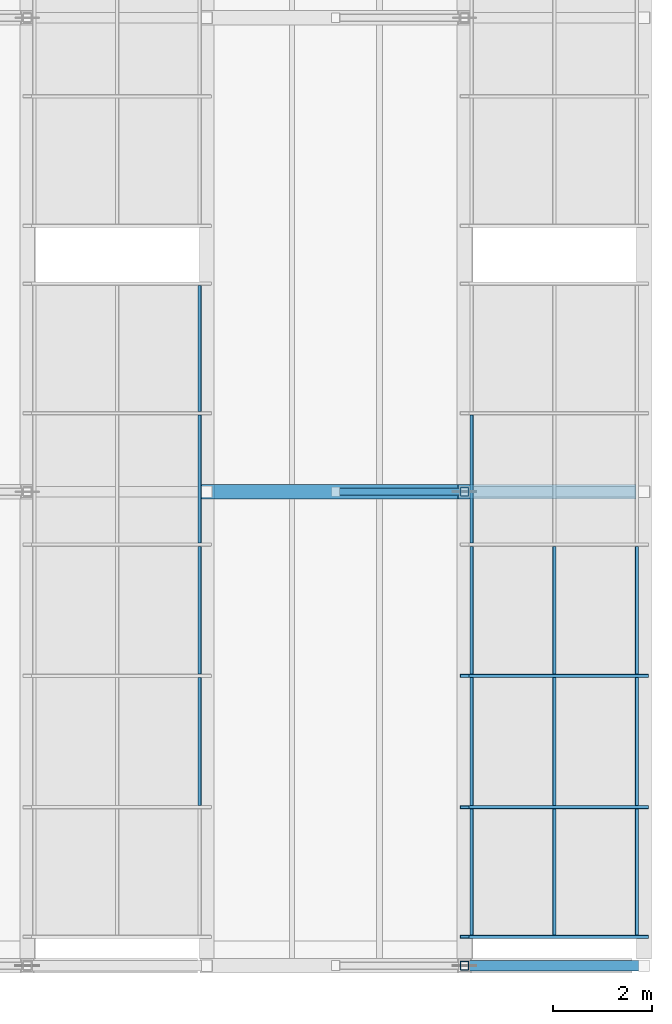
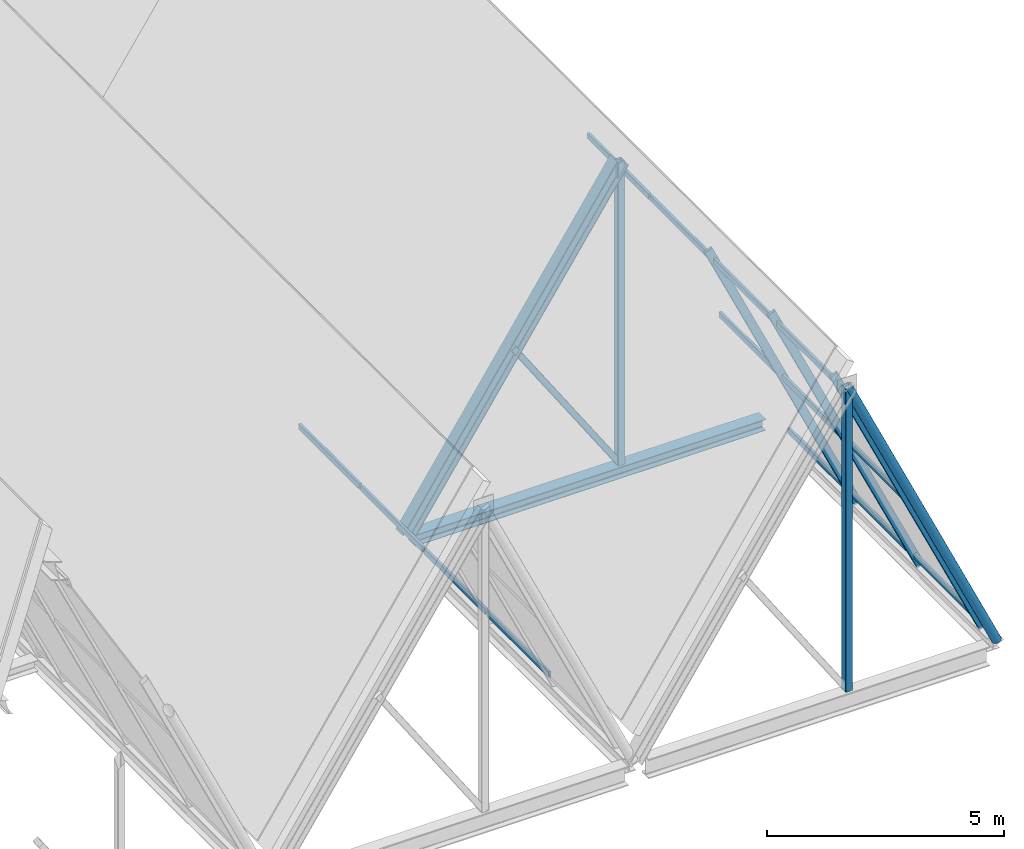
# One storey, part 54 of 99: 23 members, 2 elements without a shape of their own.
"""IFC4 building model written with IfcOpenShell, lengths in metres."""

import ifcopenshell
import ifcopenshell.guid

model = None  # the IFC model being written
_history = None  # IfcOwnerHistory: only IFC2X3 demands one
_inside = {}  # id of a spatial element -> (the spatial element, [elements in it])
_under = {}  # id of a project, library or spatial element -> (it, [spatial elements below it])
_declared = {}  # id of a project -> (the project, [libraries it declares])
_typed = {}  # id of a type object -> (the type object, [elements of that type])
_made_of = {}  # id of a material, layer set ... -> (it, [elements and type objects made of it])


def new_model(schema):
    """Start an empty IFC model of exactly this schema.

    Asked for "IFC4X3", IfcOpenShell would pick the latest addendum, in which some entities
    have other attributes; the version numbers below select the first issue.
    IFC2X3 requires an IfcOwnerHistory on every rooted entity: one is made here for all.
    """
    global model, _history
    if schema == "IFC4X3":
        model = ifcopenshell.file(schema_version=(4, 3, 0, 0))
    else:
        model = ifcopenshell.file(schema=schema)
    _inside.clear()
    _under.clear()
    _declared.clear()
    _typed.clear()
    _made_of.clear()
    _history = None
    if model.schema == "IFC2X3":
        org = make("IfcOrganization", Name="unknown")
        user = make(
            "IfcPersonAndOrganization",
            ThePerson=make("IfcPerson", FamilyName="unknown"),
            TheOrganization=org,
        )
        app = make(
            "IfcApplication",
            ApplicationDeveloper=org,
            Version="unknown",
            ApplicationFullName="unknown",
            ApplicationIdentifier="unknown",
        )
        _history = make(
            "IfcOwnerHistory",
            OwningUser=user,
            OwningApplication=app,
            ChangeAction="ADDED",
            CreationDate=0,
        )
    return model


def make(cls, **values):
    """One entity of the class cls with the attributes given. An attribute that is None is left unset."""
    return model.create_entity(
        cls, **{name: value for name, value in values.items() if value is not None}
    )


def rooted(cls, **values):
    """An entity with a GlobalId (a new one), such as an element, a storey or a relation."""
    return make(cls, GlobalId=ifcopenshell.guid.new(), OwnerHistory=_history, **values)


def si_unit(unit_type, name, prefix=None):
    """IfcSIUnit, for example si_unit("LENGTHUNIT", "METRE", prefix="MILLI")."""
    return make("IfcSIUnit", UnitType=unit_type, Prefix=prefix, Name=name)


def assignment(units):
    """IfcUnitAssignment: the units of a project."""
    return None if units is None else make("IfcUnitAssignment", Units=units)


def point(xyz):
    """IfcCartesianPoint."""
    return None if xyz is None else make("IfcCartesianPoint", Coordinates=xyz)


def direction(xyz):
    """IfcDirection."""
    return None if xyz is None else make("IfcDirection", DirectionRatios=xyz)


def frame(location, z_axis=None, x_axis=None):
    """IfcAxis2Placement3D, a coordinate frame: its origin and axes. An axis left out is left unset."""
    return make(
        "IfcAxis2Placement3D",
        Location=point(location),
        Axis=direction(z_axis),
        RefDirection=direction(x_axis),
    )


def frame_2d(location, x_axis=None):
    """IfcAxis2Placement2D, a coordinate frame in the plane: its origin and x axis."""
    return make(
        "IfcAxis2Placement2D", Location=point(location), RefDirection=direction(x_axis)
    )


def origin():
    """The frame at (0, 0, 0) with its axes left unset."""
    return frame((0.0, 0.0, 0.0))


def origin_2d():
    """The frame at (0, 0) in the plane with its x axis left unset."""
    return frame_2d((0.0, 0.0))


def place(relative_to, where):
    """IfcLocalPlacement: puts the frame where relative to a parent placement (None: the world)."""
    return make(
        "IfcLocalPlacement", PlacementRelTo=relative_to, RelativePlacement=where
    )


def context(
    kind, dimensions, precision=None, world=None, true_north=None, identifier=None
):
    """IfcGeometricRepresentationContext, for example the 3D "Model" context."""
    return make(
        "IfcGeometricRepresentationContext",
        ContextIdentifier=identifier,
        ContextType=kind,
        CoordinateSpaceDimension=dimensions,
        Precision=precision,
        WorldCoordinateSystem=world,
        TrueNorth=true_north,
    )


def subcontext(parent, identifier, kind, view, scale=None):
    """IfcGeometricRepresentationSubContext, for example "Body" below "Model"."""
    return make(
        "IfcGeometricRepresentationSubContext",
        ContextIdentifier=identifier,
        ContextType=kind,
        ParentContext=parent,
        TargetScale=scale,
        TargetView=view,
    )


def project(units=None, contexts=None):
    """IfcProject with its units and contexts."""
    return rooted(
        "IfcProject",
        Name="project",
        RepresentationContexts=contexts,
        UnitsInContext=assignment(units),
    )


def spatial(cls, under=None, at=None, **own):
    """A site, building, storey or space (cls), placed at a placement, below another one or the project."""
    s = rooted(cls, ObjectPlacement=at, **own)
    if under is not None:
        _under.setdefault(under.id(), (under, []))[1].append(s)
    return s


def profile(cls, at=None, kind="AREA", **sizes):
    """A parametric profile (cls). Its sizes go by their IFC names, for example OverallWidth=200.0."""
    return make(cls, ProfileType=kind, Position=at, **sizes)


def hollow_rectangle(**sizes):
    """IfcRectangleHollowProfileDef."""
    return profile("IfcRectangleHollowProfileDef", **sizes)


def hollow_circle(**sizes):
    """IfcCircleHollowProfileDef."""
    return profile("IfcCircleHollowProfileDef", **sizes)


def i_section(**sizes):
    """IfcIShapeProfileDef."""
    return profile("IfcIShapeProfileDef", **sizes)


def extrude(swept, where, along, depth):
    """IfcExtrudedAreaSolid: the profile swept, set in the frame where, extruded along a direction by depth."""
    return make(
        "IfcExtrudedAreaSolid",
        SweptArea=swept,
        Position=where,
        ExtrudedDirection=direction(along),
        Depth=depth,
    )


def shape(context_of_items, identifier, shape_type, items):
    """IfcShapeRepresentation: the items that make up one representation, for example the "Body"."""
    return make(
        "IfcShapeRepresentation",
        ContextOfItems=context_of_items,
        RepresentationIdentifier=identifier,
        RepresentationType=shape_type,
        Items=items,
    )


def material(Name=None, Category=None):
    """IfcMaterial."""
    return make("IfcMaterial", Name=Name, Category=Category)


def material_profile(
    of_material, cross_section, Name=None, Category=None, Priority=None
):
    """IfcMaterialProfile: a cross section and its material."""
    return make(
        "IfcMaterialProfile",
        Name=Name,
        Material=of_material,
        Profile=cross_section,
        Priority=Priority,
        Category=Category,
    )


def profile_set(profiles, Name=None, composite=None):
    """IfcMaterialProfileSet."""
    return make(
        "IfcMaterialProfileSet",
        Name=Name,
        MaterialProfiles=profiles,
        CompositeProfile=composite,
    )


def made_of(thing, what):
    """Note that an element or type object is made of a material, layer set ...; save() writes the relation."""
    if what is not None:
        _made_of.setdefault(what.id(), (what, []))[1].append(thing)
    return thing


def type_object(cls, material=None, **own):
    """A type object (cls), such as IfcWallType, which elements share."""
    return made_of(rooted(cls, **own), material)


def element(
    cls,
    number,
    at=None,
    inside=None,
    cuts=None,
    type_object=None,
    material=None,
    context=None,
    identifier="Body",
    shape_type=None,
    held_by="IfcProductDefinitionShape",
    body=None,
    shapes=None,
    **own,
):
    """One element of the class cls, such as IfcWall. Its Tag is "e" and its number.

    at: its placement. inside: the storey or other place that contains it. cuts: it is an
    opening in that element (IfcRelVoidsElement). A single representation is given by context,
    identifier, shape_type and body (its items); several are given by shapes. held_by: the class
    of the entity that holds the representations. save() writes the other relations.
    """
    e = rooted(cls, Tag="e%d" % number, ObjectPlacement=at, **own)
    if body is not None:
        shapes = [shape(context, identifier, shape_type, body)]
    if shapes is not None:
        e.Representation = make(held_by, Representations=shapes)
    if inside is not None:
        _inside.setdefault(inside.id(), (inside, []))[1].append(e)
    if cuts is not None:
        rooted(
            "IfcRelVoidsElement", RelatingBuildingElement=cuts, RelatedOpeningElement=e
        )
    if type_object is not None:
        _typed.setdefault(type_object.id(), (type_object, []))[1].append(e)
    return made_of(e, material)


def aggregate(whole, parts):
    """IfcRelAggregates: a whole, such as a stair, and the parts it consists of."""
    return rooted("IfcRelAggregates", RelatingObject=whole, RelatedObjects=parts)


def save(model, path):
    """Write the relations noted so far, then the file.

    IfcRelAggregates (storeys below a building ...), IfcRelContainedInSpatialStructure (elements
    in a storey), IfcRelDefinesByType, IfcRelAssociatesMaterial and IfcRelDeclares: one each for
    every whole, place, type object, material and project.
    """
    for whole, parts in _under.values():
        aggregate(whole, parts)
    for where, things in _inside.values():
        rooted(
            "IfcRelContainedInSpatialStructure",
            RelatedElements=things,
            RelatingStructure=where,
        )
    for kind, things in _typed.values():
        rooted("IfcRelDefinesByType", RelatedObjects=things, RelatingType=kind)
    for what, things in _made_of.values():
        rooted("IfcRelAssociatesMaterial", RelatedObjects=things, RelatingMaterial=what)
    for by, libraries in _declared.values():
        rooted("IfcRelDeclares", RelatingContext=by, RelatedDefinitions=libraries)
    model.write(path)


model = new_model("IFC4")

# Units and contexts
model_context = context("Model", 3, precision=1e-05, world=origin(), true_north=direction((0.0, 1.0)))
body_context = subcontext(model_context, "Body", "Model", "MODEL_VIEW")
ifc_project = project(units=[si_unit("LENGTHUNIT", "METRE"), si_unit("AREAUNIT", "SQUARE_METRE"), si_unit("VOLUMEUNIT", "CUBIC_METRE"), si_unit("PLANEANGLEUNIT", "RADIAN"), si_unit("MASSUNIT", "GRAM", prefix="KILO")], contexts=[model_context])

# Site, building, storey
site_placement = place(None, origin())
site = spatial("IfcSite", under=ifc_project, at=site_placement, CompositionType="ELEMENT")
building_placement = place(site_placement, origin())
building = spatial("IfcBuilding", under=site, at=building_placement, Name="Bramveld Media Centre", CompositionType="ELEMENT")
storey_placement = place(building_placement, frame((0.0, 0.0, 13.800048828125)))
storey = spatial("IfcBuildingStorey", under=building, at=storey_placement, Name="L03", CompositionType="ELEMENT", Elevation=13.800048828125)

# Curtain wall, members
ifc_material_1 = material(Name="Thermally broken anodized bronze aluminium unitized curtain wall with solar-control triple glazing", Category="aluminium")
curtain_wall_type = type_object("IfcCurtainWallType", Name="CW-SAW-13300x8606", PredefinedType="NOTDEFINED", material=ifc_material_1)
curtain_wall_1_placement = place(storey_placement, origin())
curtain_wall_1 = element("IfcCurtainWall", 1, at=curtain_wall_1_placement, inside=storey, type_object=curtain_wall_type, Name="V1 sawtooth north-light clerestory B7-S1", PredefinedType="NOTDEFINED")
ifc_material_2 = material(Name="Thermally broken anodized bronze aluminium EN AW-6063 T6 curtain-wall framing", Category="aluminium")
ifc_material_profile_1 = material_profile(ifc_material_2, hollow_rectangle(XDim=0.070068359375, YDim=0.199951171875, WallThickness=0.00439453125, InnerFilletRadius=0.00439453125, OuterFilletRadius=0.009033203125, at=origin_2d()), Name="AL-MULL 70x200")
ifc_profile_set_1 = profile_set([ifc_material_profile_1], Name="Thermally broken anodized bronze aluminium EN AW-6063 T6 curtain-wall framing")
member_type_1 = type_object("IfcMemberType", Name="CW-MULL-SLP", PredefinedType="MULLION", material=ifc_profile_set_1)
member_1_placement = place(storey_placement, frame((186.0, 0.5849609375, -0.02001953125), z_axis=(-0.423956992265, 0.0, 0.90568232218), x_axis=(0.0, -1.0, 0.0)))
member_1 = element("IfcMember", 2, at=member_1_placement, type_object=member_type_1, Name="CW-SA-13386 sloped mullion 1", PredefinedType="MULLION", context=body_context, shape_type="SweptSolid", body=[
    extrude(hollow_rectangle(XDim=0.070068359375, YDim=0.199951171875, WallThickness=0.00439453125, InnerFilletRadius=0.00439453125, OuterFilletRadius=0.009033203125, at=origin_2d()), origin(), (0.0, 0.0, 1.0), 8.5791015625),
])
member_2_placement = place(storey_placement, frame((186.0, 3.2099609375, -0.02001953125), z_axis=(-0.423956992265, 0.0, 0.90568232218), x_axis=(0.0, -1.0, 0.0)))
member_2 = element("IfcMember", 3, at=member_2_placement, type_object=member_type_1, Name="CW-SA-13386 sloped mullion 2", PredefinedType="MULLION", context=body_context, shape_type="SweptSolid", body=[
    extrude(hollow_rectangle(XDim=0.070068359375, YDim=0.199951171875, WallThickness=0.00439453125, InnerFilletRadius=0.00439453125, OuterFilletRadius=0.009033203125, at=origin_2d()), origin(), (0.0, 0.0, 1.0), 8.5791015625),
])
member_3_placement = place(storey_placement, frame((186.0, 5.8701171875, -0.02001953125), z_axis=(-0.423956992265, 0.0, 0.90568232218), x_axis=(0.0, -1.0, 0.0)))
member_3 = element("IfcMember", 4, at=member_3_placement, type_object=member_type_1, Name="CW-SA-13386 sloped mullion 3", PredefinedType="MULLION", context=body_context, shape_type="SweptSolid", body=[
    extrude(hollow_rectangle(XDim=0.070068359375, YDim=0.199951171875, WallThickness=0.00439453125, InnerFilletRadius=0.00439453125, OuterFilletRadius=0.009033203125, at=origin_2d()), origin(), (0.0, 0.0, 1.0), 8.5791015625),
])

curtain_wall_2_placement = place(storey_placement, origin())
curtain_wall_2 = element("IfcCurtainWall", 5, at=curtain_wall_2_placement, inside=storey, type_object=curtain_wall_type, Name="V1 sawtooth north-light clerestory B6-S1", PredefinedType="NOTDEFINED")
ifc_material_3 = material(Name="Thermally broken anodized bronze aluminium EN AW-6063 T6 curtain-wall framing", Category="aluminium")
ifc_material_profile_2 = material_profile(ifc_material_3, hollow_rectangle(XDim=0.070068359375, YDim=0.14990234375, WallThickness=0.00390625, InnerFilletRadius=0.00390625, OuterFilletRadius=0.008056640625, at=origin_2d()), Name="AL-TRAN 70x150")
ifc_profile_set_2 = profile_set([ifc_material_profile_2], Name="Thermally broken anodized bronze aluminium EN AW-6063 T6 curtain-wall framing")
member_type_2 = type_object("IfcMemberType", Name="CW-TRAN-SLP", PredefinedType="USERDEFINED", material=ifc_profile_set_2)
member_4_placement = place(storey_placement, frame((176.997314453125, 3.2451171875, 0.290771484375), z_axis=(0.0, 1.0, 0.0), x_axis=(-1.0, 0.0, 0.0)))
member_4 = element("IfcMember", 6, at=member_4_placement, type_object=member_type_2, Name="CW-SA-13386 transom 2.1", ObjectType="TRANSOM", PredefinedType="USERDEFINED", context=body_context, shape_type="SweptSolid", body=[
    extrude(hollow_rectangle(XDim=0.070068359375, YDim=0.14990234375, WallThickness=0.00390625, InnerFilletRadius=0.00390625, OuterFilletRadius=0.008056640625, at=origin_2d()), origin(), (0.0, 0.0, 1.0), 2.58984375),
])
member_5_placement = place(storey_placement, frame((176.997314453125, 5.905029296875, 0.290771484375), z_axis=(0.0, 1.0, 0.0), x_axis=(-1.0, 0.0, 0.0)))
member_5 = element("IfcMember", 7, at=member_5_placement, type_object=member_type_2, Name="CW-SA-13386 transom 3.1", ObjectType="TRANSOM", PredefinedType="USERDEFINED", context=body_context, shape_type="SweptSolid", body=[
    extrude(hollow_rectangle(XDim=0.070068359375, YDim=0.14990234375, WallThickness=0.00390625, InnerFilletRadius=0.00390625, OuterFilletRadius=0.008056640625, at=origin_2d()), origin(), (0.0, 0.0, 1.0), 2.590087890625),
])
member_6_placement = place(storey_placement, frame((176.997314453125, 8.56494140625, 0.290771484375), z_axis=(0.0, 1.0, 0.0), x_axis=(-1.0, 0.0, 0.0)))
member_6 = element("IfcMember", 8, at=member_6_placement, type_object=member_type_2, Name="CW-SA-13386 transom 4.1", ObjectType="TRANSOM", PredefinedType="USERDEFINED", context=body_context, shape_type="SweptSolid", body=[
    extrude(hollow_rectangle(XDim=0.070068359375, YDim=0.14990234375, WallThickness=0.00390625, InnerFilletRadius=0.00390625, OuterFilletRadius=0.008056640625, at=origin_2d()), origin(), (0.0, 0.0, 1.0), 2.590087890625),
])
member_7_placement = place(storey_placement, frame((176.997314453125, 11.22509765625, 0.290771484375), z_axis=(0.0, 1.0, 0.0), x_axis=(-1.0, 0.0, 0.0)))
member_7 = element("IfcMember", 9, at=member_7_placement, type_object=member_type_2, Name="CW-SA-13386 transom 5.1", ObjectType="TRANSOM", PredefinedType="USERDEFINED", context=body_context, shape_type="SweptSolid", body=[
    extrude(hollow_rectangle(XDim=0.070068359375, YDim=0.14990234375, WallThickness=0.00390625, InnerFilletRadius=0.00390625, OuterFilletRadius=0.008056640625, at=origin_2d()), origin(), (0.0, 0.0, 1.0), 2.554931640625),
])
aggregate(curtain_wall_2, [member_4, member_5, member_6, member_7])

# Member
member_8_placement = place(storey_placement, frame((185.8544921875, 0.6201171875, 0.290771484375), z_axis=(0.0, 1.0, 0.0), x_axis=(-1.0, 0.0, 0.0)))
member_8 = element("IfcMember", 10, at=member_8_placement, type_object=member_type_2, Name="CW-SA-13386 transom 1.1", ObjectType="TRANSOM", PredefinedType="USERDEFINED", context=body_context, shape_type="SweptSolid", body=[
    extrude(hollow_rectangle(XDim=0.070068359375, YDim=0.14990234375, WallThickness=0.00390625, InnerFilletRadius=0.00390625, OuterFilletRadius=0.008056640625, at=origin_2d()), origin(), (0.0, 0.0, 1.0), 2.554931640625),
])

member_9_placement = place(storey_placement, frame((184.181396484375, 0.6201171875, 3.864990234375), z_axis=(0.0, 1.0, 0.0), x_axis=(-1.0, 0.0, 0.0)))
member_9 = element("IfcMember", 11, at=member_9_placement, type_object=member_type_2, Name="CW-SA-13386 transom 1.2", ObjectType="TRANSOM", PredefinedType="USERDEFINED", context=body_context, shape_type="SweptSolid", body=[
    extrude(hollow_rectangle(XDim=0.070068359375, YDim=0.14990234375, WallThickness=0.00390625, InnerFilletRadius=0.00390625, OuterFilletRadius=0.008056640625, at=origin_2d()), origin(), (0.0, 0.0, 1.0), 2.554931640625),
])

member_10_placement = place(storey_placement, frame((182.50830078125, 0.6201171875, 7.439208984375), z_axis=(0.0, 1.0, 0.0), x_axis=(-1.0, 0.0, 0.0)))
member_10 = element("IfcMember", 12, at=member_10_placement, type_object=member_type_2, Name="CW-SA-13386 transom 1.3", ObjectType="TRANSOM", PredefinedType="USERDEFINED", context=body_context, shape_type="SweptSolid", body=[
    extrude(hollow_rectangle(XDim=0.070068359375, YDim=0.14990234375, WallThickness=0.00390625, InnerFilletRadius=0.00390625, OuterFilletRadius=0.008056640625, at=origin_2d()), origin(), (0.0, 0.0, 1.0), 2.554931640625),
])

member_11_placement = place(storey_placement, frame((185.8544921875, 3.2451171875, 0.290771484375), z_axis=(0.0, 1.0, 0.0), x_axis=(-1.0, 0.0, 0.0)))
member_11 = element("IfcMember", 13, at=member_11_placement, type_object=member_type_2, Name="CW-SA-13386 transom 2.1", ObjectType="TRANSOM", PredefinedType="USERDEFINED", context=body_context, shape_type="SweptSolid", body=[
    extrude(hollow_rectangle(XDim=0.070068359375, YDim=0.14990234375, WallThickness=0.00390625, InnerFilletRadius=0.00390625, OuterFilletRadius=0.008056640625, at=origin_2d()), origin(), (0.0, 0.0, 1.0), 2.58984375),
])

member_12_placement = place(storey_placement, frame((184.181396484375, 3.2451171875, 3.864990234375), z_axis=(0.0, 1.0, 0.0), x_axis=(-1.0, 0.0, 0.0)))
member_12 = element("IfcMember", 14, at=member_12_placement, type_object=member_type_2, Name="CW-SA-13386 transom 2.2", ObjectType="TRANSOM", PredefinedType="USERDEFINED", context=body_context, shape_type="SweptSolid", body=[
    extrude(hollow_rectangle(XDim=0.070068359375, YDim=0.14990234375, WallThickness=0.00390625, InnerFilletRadius=0.00390625, OuterFilletRadius=0.008056640625, at=origin_2d()), origin(), (0.0, 0.0, 1.0), 2.58984375),
])

member_13_placement = place(storey_placement, frame((182.50830078125, 3.2451171875, 7.439208984375), z_axis=(0.0, 1.0, 0.0), x_axis=(-1.0, 0.0, 0.0)))
member_13 = element("IfcMember", 15, at=member_13_placement, type_object=member_type_2, Name="CW-SA-13386 transom 2.3", ObjectType="TRANSOM", PredefinedType="USERDEFINED", context=body_context, shape_type="SweptSolid", body=[
    extrude(hollow_rectangle(XDim=0.070068359375, YDim=0.14990234375, WallThickness=0.00390625, InnerFilletRadius=0.00390625, OuterFilletRadius=0.008056640625, at=origin_2d()), origin(), (0.0, 0.0, 1.0), 2.58984375),
])

member_14_placement = place(storey_placement, frame((185.8544921875, 5.905029296875, 0.290771484375), z_axis=(0.0, 1.0, 0.0), x_axis=(-1.0, 0.0, 0.0)))
member_14 = element("IfcMember", 16, at=member_14_placement, type_object=member_type_2, Name="CW-SA-13386 transom 3.1", ObjectType="TRANSOM", PredefinedType="USERDEFINED", context=body_context, shape_type="SweptSolid", body=[
    extrude(hollow_rectangle(XDim=0.070068359375, YDim=0.14990234375, WallThickness=0.00390625, InnerFilletRadius=0.00390625, OuterFilletRadius=0.008056640625, at=origin_2d()), origin(), (0.0, 0.0, 1.0), 2.590087890625),
])

member_15_placement = place(storey_placement, frame((184.181396484375, 5.905029296875, 3.864990234375), z_axis=(0.0, 1.0, 0.0), x_axis=(-1.0, 0.0, 0.0)))
member_15 = element("IfcMember", 17, at=member_15_placement, type_object=member_type_2, Name="CW-SA-13386 transom 3.2", ObjectType="TRANSOM", PredefinedType="USERDEFINED", context=body_context, shape_type="SweptSolid", body=[
    extrude(hollow_rectangle(XDim=0.070068359375, YDim=0.14990234375, WallThickness=0.00390625, InnerFilletRadius=0.00390625, OuterFilletRadius=0.008056640625, at=origin_2d()), origin(), (0.0, 0.0, 1.0), 2.590087890625),
])

member_16_placement = place(storey_placement, frame((182.50830078125, 5.905029296875, 7.439208984375), z_axis=(0.0, 1.0, 0.0), x_axis=(-1.0, 0.0, 0.0)))
member_16 = element("IfcMember", 18, at=member_16_placement, type_object=member_type_2, Name="CW-SA-13386 transom 3.3", ObjectType="TRANSOM", PredefinedType="USERDEFINED", context=body_context, shape_type="SweptSolid", body=[
    extrude(hollow_rectangle(XDim=0.070068359375, YDim=0.14990234375, WallThickness=0.00390625, InnerFilletRadius=0.00390625, OuterFilletRadius=0.008056640625, at=origin_2d()), origin(), (0.0, 0.0, 1.0), 2.590087890625),
])

member_17_placement = place(storey_placement, frame((182.50830078125, 8.56494140625, 7.439208984375), z_axis=(0.0, 1.0, 0.0), x_axis=(-1.0, 0.0, 0.0)))
member_17 = element("IfcMember", 19, at=member_17_placement, type_object=member_type_2, Name="CW-SA-13386 transom 4.3", ObjectType="TRANSOM", PredefinedType="USERDEFINED", context=body_context, shape_type="SweptSolid", body=[
    extrude(hollow_rectangle(XDim=0.070068359375, YDim=0.14990234375, WallThickness=0.00390625, InnerFilletRadius=0.00390625, OuterFilletRadius=0.008056640625, at=origin_2d()), origin(), (0.0, 0.0, 1.0), 2.590087890625),
])

aggregate(curtain_wall_1, [member_1, member_2, member_3, member_8, member_9, member_10, member_11, member_12, member_13, member_14, member_15, member_16, member_17])

# Members
ifc_material_4 = material(Name="Steel S355J2H", Category="steel")
ifc_material_profile_3 = material_profile(ifc_material_4, hollow_circle(Radius=0.109619140625, WallThickness=0.012451171875, at=origin_2d()), Name="CHS 219.1x12.5")
ifc_profile_set_3 = profile_set([ifc_material_profile_3], Name="Steel S355J2H")
member_type_3 = type_object("IfcMemberType", Name="MEM-BRACE-CHS219", PredefinedType="BRACE", material=ifc_profile_set_3)
member_18_placement = place(storey_placement, frame((186.0, 0.0, 0.0), z_axis=(-0.422616785161, 0.0, 0.906308475575), x_axis=(0.0, -1.0, 0.0)))
element("IfcMember", 20, at=member_18_placement, inside=storey, type_object=member_type_3, Name="TRUSS-V1-B07-F1 north-light strut", PredefinedType="BRACE", context=body_context, shape_type="SweptSolid", body=[
    extrude(hollow_circle(Radius=0.109619140625, WallThickness=0.012451171875, at=origin_2d()), origin(), (0.0, 0.0, 1.0), 8.6064453125),
])
ifc_material_5 = material(Name="Steel S355J2H", Category="steel")
ifc_material_profile_4 = material_profile(ifc_material_5, hollow_rectangle(XDim=0.14990234375, YDim=0.14990234375, WallThickness=0.010009765625, InnerFilletRadius=0.010009765625, OuterFilletRadius=0.02001953125, at=origin_2d()), Name="SHS 150x150x10")
ifc_profile_set_4 = profile_set([ifc_material_profile_4], Name="Steel S355J2H")
member_type_4 = type_object("IfcMemberType", Name="MEM-BRACE-SHS150", PredefinedType="BRACE", material=ifc_profile_set_4)
member_19_placement = place(storey_placement, frame((182.36279296875, 9.60009765625, 0.0), z_axis=(-0.556200017124, 0.0, 0.831048458847), x_axis=(0.0, -1.0, 0.0)))
element("IfcMember", 21, at=member_19_placement, inside=storey, type_object=member_type_4, Name="TRUSS-V1-B07-F2 web diagonal", PredefinedType="BRACE", context=body_context, shape_type="SweptSolid", body=[
    extrude(hollow_rectangle(XDim=0.14990234375, YDim=0.14990234375, WallThickness=0.010009765625, InnerFilletRadius=0.010009765625, OuterFilletRadius=0.02001953125, at=origin_2d()), origin(), (0.0, 0.0, 1.0), 4.69287109375),
])
ifc_material_6 = material(Name="Steel S355J2", Category="steel")
ifc_material_profile_5 = material_profile(ifc_material_6, i_section(OverallWidth=0.300048828125, OverallDepth=0.2900390625, WebThickness=0.008544921875, FlangeThickness=0.013916015625, FilletRadius=0.027099609375, at=origin_2d()), Name="HEA 300")
ifc_profile_set_5 = profile_set([ifc_material_profile_5], Name="Steel S355J2")
member_type_5 = type_object("IfcMemberType", Name="MEM-CHORD-HEA300", PredefinedType="CHORD", material=ifc_profile_set_5)
member_20_placement = place(storey_placement, frame((177.302978515625, 9.60009765625, -0.14501953125), z_axis=(1.0, 0.0, 0.0), x_axis=(0.0, 1.0, 0.0)))
element("IfcMember", 22, at=member_20_placement, inside=storey, type_object=member_type_5, Name="TRUSS-V1-B07-F2 bottom tie chord", PredefinedType="CHORD", context=body_context, shape_type="SweptSolid", body=[
    extrude(i_section(OverallWidth=0.300048828125, OverallDepth=0.2900390625, WebThickness=0.008544921875, FlangeThickness=0.013916015625, FilletRadius=0.027099609375, at=origin_2d()), origin(), (0.0, 0.0, 1.0), 8.537109375),
])
ifc_material_7 = material(Name="Steel S355J2", Category="steel")
ifc_material_profile_6 = material_profile(ifc_material_7, i_section(OverallWidth=0.300048828125, OverallDepth=0.340087890625, WebThickness=0.011962890625, FlangeThickness=0.021484375, FilletRadius=0.027099609375, at=origin_2d()), Name="HEB 340")
ifc_profile_set_6 = profile_set([ifc_material_profile_6], Name="Steel S355J2")
member_type_6 = type_object("IfcMemberType", Name="MEM-CHORD-HEB340", PredefinedType="CHORD", material=ifc_profile_set_6)
member_21_placement = place(storey_placement, frame((177.142822265625, 9.60009765625, 0.0), z_axis=(0.556170027887, 0.0, 0.831068529112), x_axis=(0.0, 1.0, 0.0)))
element("IfcMember", 23, at=member_21_placement, inside=storey, type_object=member_type_6, Name="TRUSS-V1-B07-F2 top rafter chord", PredefinedType="CHORD", context=body_context, shape_type="SweptSolid", body=[
    extrude(i_section(OverallWidth=0.300048828125, OverallDepth=0.340087890625, WebThickness=0.011962890625, FlangeThickness=0.021484375, FilletRadius=0.027099609375, at=origin_2d()), origin(), (0.0, 0.0, 1.0), 9.385498046875),
])
ifc_material_8 = material(Name="Steel S355J2H", Category="steel")
ifc_material_profile_7 = material_profile(ifc_material_8, hollow_rectangle(XDim=0.179931640625, YDim=0.179931640625, WallThickness=0.010009765625, InnerFilletRadius=0.010009765625, OuterFilletRadius=0.02001953125, at=origin_2d()), Name="SHS 180x180x10")
ifc_profile_set_7 = profile_set([ifc_material_profile_7], Name="Steel S355J2H")
member_type_7 = type_object("IfcMemberType", Name="MEM-POST-SHS180", PredefinedType="POST", material=ifc_profile_set_7)
for number, where, z_axis, x_axis, name in (
    (24, (182.36279296875, 0.0, 0.0), (0.0, 0.0, 1.0), (1.0, 0.0, 0.0), "TRUSS-V1-B07-F1 kingpost"),
    (25, (182.36279296875, 9.60009765625, 0.0), (0.0, 0.0, 1.0), (1.0, 0.0, 0.0), "TRUSS-V1-B07-F2 kingpost"),
):
    element("IfcMember", number, at=place(storey_placement, frame(where, z_axis=z_axis, x_axis=x_axis)), inside=storey, type_object=member_type_7, Name=name, PredefinedType="POST", context=body_context, shape_type="SweptSolid", body=[
        extrude(hollow_rectangle(XDim=0.179931640625, YDim=0.179931640625, WallThickness=0.010009765625, InnerFilletRadius=0.010009765625, OuterFilletRadius=0.02001953125, at=origin_2d()), origin(), (0.0, 0.0, 1.0), 7.800048828125),
    ])

save(model, "model.ifc")
